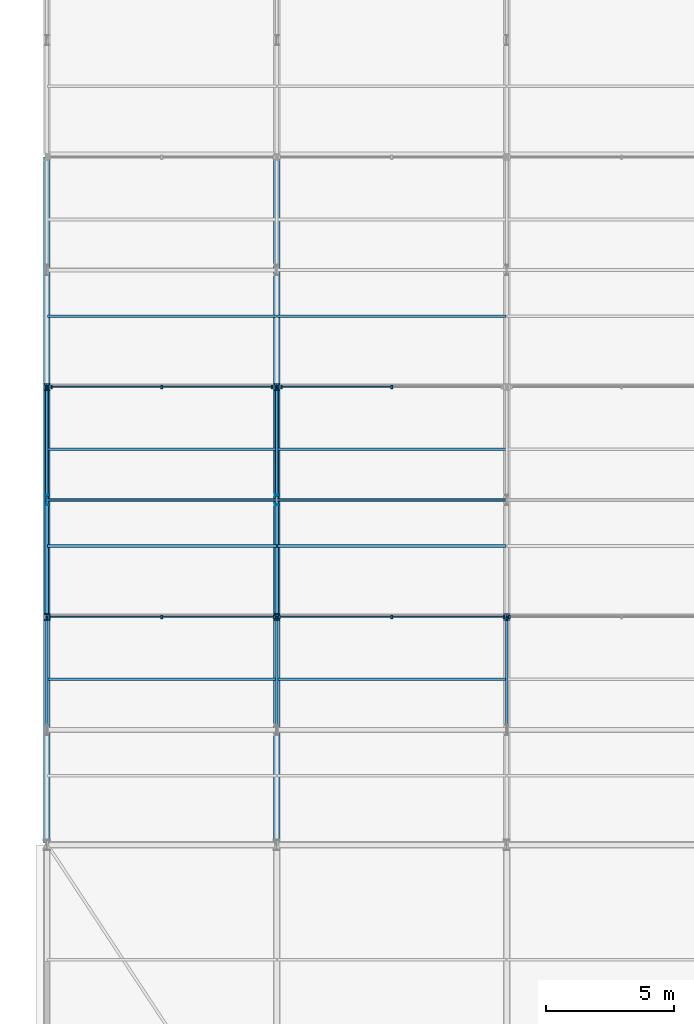
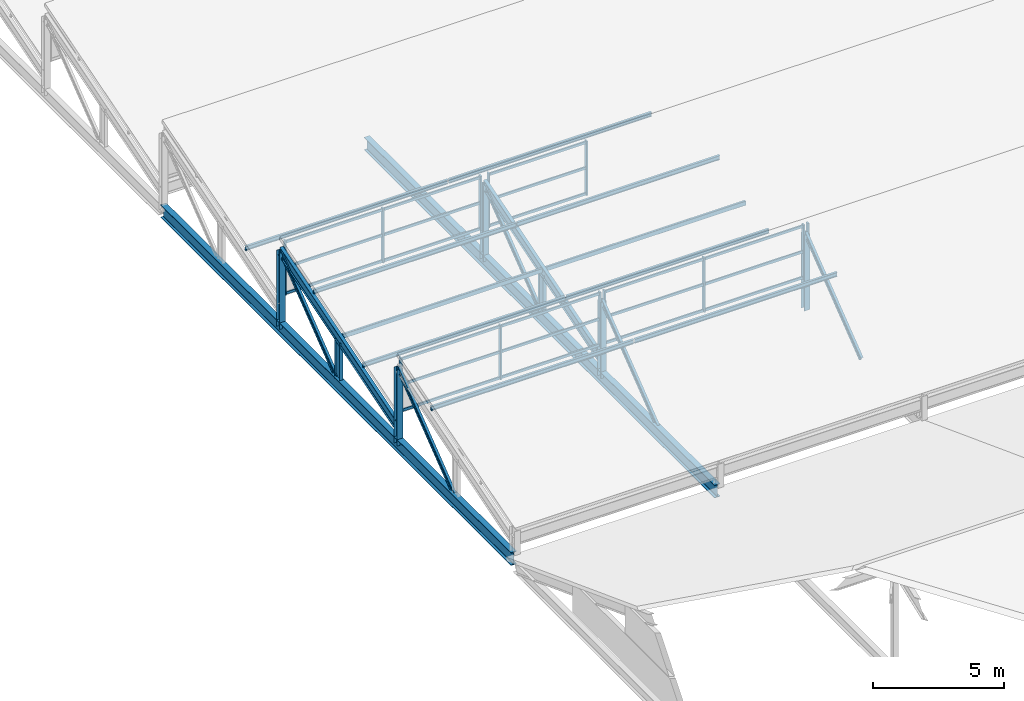
# One storey, part 46 of 163: 57 members, 2 beams, 5 elements without a shape of their own.
"""IFC4 building model written with IfcOpenShell, lengths in metres."""

from ifc_helpers import new_model, si_unit, direction, frame, origin, origin_2d, place, context, subcontext, project, spatial, rectangle, hollow_rectangle, i_section, extrude, material, material_profile, profile_set, type_object, element, aggregate, save


model = new_model("IFC4")

# Units and contexts
model_context = context("Model", 3, precision=1e-05, world=origin(), true_north=direction((0.0, 1.0)))
body_context = subcontext(model_context, "Body", "Model", "MODEL_VIEW")
ifc_project = project(units=[si_unit("LENGTHUNIT", "METRE"), si_unit("AREAUNIT", "SQUARE_METRE"), si_unit("VOLUMEUNIT", "CUBIC_METRE"), si_unit("PLANEANGLEUNIT", "RADIAN"), si_unit("MASSUNIT", "GRAM", prefix="KILO")], contexts=[model_context])

# Site, building, storey
site_placement = place(None, origin())
site = spatial("IfcSite", under=ifc_project, at=site_placement, CompositionType="ELEMENT")
building_placement = place(site_placement, origin())
building = spatial("IfcBuilding", under=site, at=building_placement, Name="Tharagai Park Tramway Depot", CompositionType="ELEMENT")
storey_placement = place(building_placement, frame((0.0, 0.0, 8.39990234375)))
storey = spatial("IfcBuildingStorey", under=building, at=storey_placement, Name="L02", CompositionType="ELEMENT", Elevation=8.39990234375)

# Beams
ifc_material_1 = material(Name="Steel E350", Category="steel")
ifc_material_profile_1 = material_profile(ifc_material_1, i_section(OverallWidth=0.25, OverallDepth=0.60009765625, WebThickness=0.01171875, FlangeThickness=0.023681640625, FilletRadius=0.01708984375, at=origin_2d()), Name="ISWB 600")
ifc_profile_set_1 = profile_set([ifc_material_profile_1], Name="Steel E350")
beam_type = type_object("IfcBeamType", Name="BM-01", PredefinedType="BEAM", material=ifc_profile_set_1)
for number, where, z_axis, x_axis, name in (
    (1, (0.0, 90.080078125, -0.25), (0.0, 1.0, 0.0), (-1.0, 0.0, 0.0), "Sawtooth Truss Bottom Tie Girder BM-01"),
    (2, (9.0, 90.080078125, -0.25), (0.0, 1.0, 0.0), (-1.0, 0.0, 0.0), "Sawtooth Truss Bottom Tie Girder BM-01"),
):
    element("IfcBeam", number, at=place(storey_placement, frame(where, z_axis=z_axis, x_axis=x_axis)), inside=storey, type_object=beam_type, Name=name, PredefinedType="BEAM", context=body_context, shape_type="SweptSolid", body=[
        extrude(i_section(OverallWidth=0.25, OverallDepth=0.60009765625, WebThickness=0.01171875, FlangeThickness=0.023681640625, FilletRadius=0.01708984375, at=origin_2d()), origin(), (0.0, 0.0, 1.0), 26.83984375),
    ])

# Members
ifc_material_profile_2 = material_profile(ifc_material_1, i_section(OverallWidth=0.25, OverallDepth=0.25, WebThickness=0.0087890625, FlangeThickness=0.009765625, FilletRadius=0.010009765625, at=origin_2d()), Name="ISHB 250")
ifc_profile_set_2 = profile_set([ifc_material_profile_2], Name="Steel E350")
member_type_1 = type_object("IfcMemberType", Name="BR-01", PredefinedType="BRACE", material=ifc_profile_set_2)
for number, where, z_axis, x_axis, name in (
    (3, (0.0, 98.919921875, -0.25), (0.0, 0.0, 1.0), (1.0, 0.0, 0.0), "Sawtooth North Vertical Post BR-01"),
    (4, (0.0, 107.919921875, -0.25), (0.0, 0.0, 1.0), (1.0, 0.0, 0.0), "Sawtooth North Vertical Post BR-01"),
    (5, (9.0, 98.919921875, -0.25), (0.0, 0.0, 1.0), (1.0, 0.0, 0.0), "Sawtooth North Vertical Post BR-01"),
    (6, (9.0, 107.919921875, -0.25), (0.0, 0.0, 1.0), (1.0, 0.0, 0.0), "Sawtooth North Vertical Post BR-01"),
    (7, (18.0, 98.919921875, -0.25), (0.0, 0.0, 1.0), (1.0, 0.0, 0.0), "Sawtooth North Vertical Post BR-01"),
):
    element("IfcMember", number, at=place(storey_placement, frame(where, z_axis=z_axis, x_axis=x_axis)), inside=storey, type_object=member_type_1, Name=name, PredefinedType="BRACE", context=body_context, shape_type="SweptSolid", body=[
        extrude(i_section(OverallWidth=0.25, OverallDepth=0.25, WebThickness=0.0087890625, FlangeThickness=0.009765625, FilletRadius=0.010009765625, at=origin_2d()), origin(), (0.0, 0.0, 1.0), 3.55517578125),
    ])
ifc_material_profile_3 = material_profile(ifc_material_1, i_section(OverallWidth=0.110107421875, OverallDepth=0.22509765625, WebThickness=0.006591796875, FlangeThickness=0.01171875, FilletRadius=0.011962890625, at=origin_2d()), Name="ISMB 225")
ifc_profile_set_3 = profile_set([ifc_material_profile_3], Name="Steel E350")
member_type_2 = type_object("IfcMemberType", Name="BR-04", PredefinedType="BRACE", material=ifc_profile_set_3)
for number, where, z_axis, x_axis, name in (
    (8, (0.0, 94.64990234375, 0.0), (0.0, 0.790781596, 0.612098413188), (-1.0, 0.0, 0.0), "Sawtooth Truss Web Diagonal BR-04"),
    (9, (0.0, 103.64990234375, 0.0), (0.0, 0.790781596, 0.612098413188), (-1.0, 0.0, 0.0), "Sawtooth Truss Web Diagonal BR-04"),
    (10, (9.0, 94.64990234375, 0.0), (0.0, 0.790781596, 0.612098413188), (-1.0, 0.0, 0.0), "Sawtooth Truss Web Diagonal BR-04"),
    (11, (9.0, 103.64990234375, 0.0), (0.0, 0.790781596, 0.612098413188), (-1.0, 0.0, 0.0), "Sawtooth Truss Web Diagonal BR-04"),
    (12, (18.0, 94.64990234375, 0.0), (0.0, 0.790781596, 0.612098413188), (-1.0, 0.0, 0.0), "Sawtooth Truss Web Diagonal BR-04"),
):
    element("IfcMember", number, at=place(storey_placement, frame(where, z_axis=z_axis, x_axis=x_axis)), inside=storey, type_object=member_type_2, Name=name, PredefinedType="BRACE", context=body_context, shape_type="SweptSolid", body=[
        extrude(i_section(OverallWidth=0.110107421875, OverallDepth=0.22509765625, WebThickness=0.006591796875, FlangeThickness=0.01171875, FilletRadius=0.011962890625, at=origin_2d()), origin(), (0.0, 0.0, 1.0), 5.399658203125),
    ])

# Curtain wall, members
ifc_material_2 = material(Name="Anodised aluminium", Category="aluminium")
curtain_wall_type_1 = type_object("IfcCurtainWallType", Name="CW-04", PredefinedType="NOTDEFINED", material=ifc_material_2)
curtain_wall_1_placement = place(storey_placement, origin())
curtain_wall_1 = element("IfcCurtainWall", 13, at=curtain_wall_1_placement, inside=storey, type_object=curtain_wall_type_1, Name="Sawtooth North-Light Clerestory CW-04", PredefinedType="NOTDEFINED")
ifc_material_profile_4 = material_profile(ifc_material_2, rectangle(XDim=0.06494140625, YDim=0.1201171875, at=origin_2d()), Name="ALU 65x120")
ifc_profile_set_4 = profile_set([ifc_material_profile_4], Name="Anodised aluminium")
member_type_3 = type_object("IfcMemberType", Name="CM-01", PredefinedType="USERDEFINED", material=ifc_profile_set_4)
member_1_placement = place(storey_placement, frame((0.114990234375, 98.919921875, 1.26513671875), z_axis=(1.0, 0.0, 0.0), x_axis=(0.0, 1.0, 0.0)))
member_1 = element("IfcMember", 14, at=member_1_placement, type_object=member_type_3, Name="Sawtooth North-Light Clerestory Transom 1.1", ObjectType="TRANSOM", PredefinedType="USERDEFINED", context=body_context, shape_type="SweptSolid", body=[
    extrude(rectangle(XDim=0.06494140625, YDim=0.1201171875, at=origin_2d()), origin(), (0.0, 0.0, 1.0), 4.3701171875),
])
member_2_placement = place(storey_placement, frame((0.114990234375, 98.919921875, 2.4736328125), z_axis=(1.0, 0.0, 0.0), x_axis=(0.0, 1.0, 0.0)))
member_2 = element("IfcMember", 15, at=member_2_placement, type_object=member_type_3, Name="Sawtooth North-Light Clerestory Transom 1.2", ObjectType="TRANSOM", PredefinedType="USERDEFINED", context=body_context, shape_type="SweptSolid", body=[
    extrude(rectangle(XDim=0.06494140625, YDim=0.1201171875, at=origin_2d()), origin(), (0.0, 0.0, 1.0), 4.3701171875),
])
member_3_placement = place(storey_placement, frame((0.114990234375, 98.919921875, 3.662353515625), z_axis=(1.0, 0.0, 0.0), x_axis=(0.0, 1.0, 0.0)))
member_3 = element("IfcMember", 16, at=member_3_placement, type_object=member_type_3, Name="Sawtooth North-Light Clerestory Transom 1.3", ObjectType="TRANSOM", PredefinedType="USERDEFINED", context=body_context, shape_type="SweptSolid", body=[
    extrude(rectangle(XDim=0.06494140625, YDim=0.1201171875, at=origin_2d()), origin(), (0.0, 0.0, 1.0), 4.3701171875),
])
member_4_placement = place(storey_placement, frame((4.514892578125, 98.919921875, 1.26513671875), z_axis=(1.0, 0.0, 0.0), x_axis=(0.0, 1.0, 0.0)))
member_4 = element("IfcMember", 17, at=member_4_placement, type_object=member_type_3, Name="Sawtooth North-Light Clerestory Transom 2.1", ObjectType="TRANSOM", PredefinedType="USERDEFINED", context=body_context, shape_type="SweptSolid", body=[
    extrude(rectangle(XDim=0.06494140625, YDim=0.1201171875, at=origin_2d()), origin(), (0.0, 0.0, 1.0), 4.3701171875),
])
member_5_placement = place(storey_placement, frame((4.514892578125, 98.919921875, 2.4736328125), z_axis=(1.0, 0.0, 0.0), x_axis=(0.0, 1.0, 0.0)))
member_5 = element("IfcMember", 18, at=member_5_placement, type_object=member_type_3, Name="Sawtooth North-Light Clerestory Transom 2.2", ObjectType="TRANSOM", PredefinedType="USERDEFINED", context=body_context, shape_type="SweptSolid", body=[
    extrude(rectangle(XDim=0.06494140625, YDim=0.1201171875, at=origin_2d()), origin(), (0.0, 0.0, 1.0), 4.3701171875),
])
member_6_placement = place(storey_placement, frame((4.514892578125, 98.919921875, 3.662353515625), z_axis=(1.0, 0.0, 0.0), x_axis=(0.0, 1.0, 0.0)))
member_6 = element("IfcMember", 19, at=member_6_placement, type_object=member_type_3, Name="Sawtooth North-Light Clerestory Transom 2.3", ObjectType="TRANSOM", PredefinedType="USERDEFINED", context=body_context, shape_type="SweptSolid", body=[
    extrude(rectangle(XDim=0.06494140625, YDim=0.1201171875, at=origin_2d()), origin(), (0.0, 0.0, 1.0), 4.3701171875),
])

curtain_wall_2_placement = place(storey_placement, origin())
curtain_wall_2 = element("IfcCurtainWall", 20, at=curtain_wall_2_placement, inside=storey, type_object=curtain_wall_type_1, Name="Sawtooth North-Light Clerestory CW-04", PredefinedType="NOTDEFINED")
member_7_placement = place(storey_placement, frame((9.114990234375, 98.919921875, 1.26513671875), z_axis=(1.0, 0.0, 0.0), x_axis=(0.0, 1.0, 0.0)))
member_7 = element("IfcMember", 21, at=member_7_placement, type_object=member_type_3, Name="Sawtooth North-Light Clerestory Transom 1.1", ObjectType="TRANSOM", PredefinedType="USERDEFINED", context=body_context, shape_type="SweptSolid", body=[
    extrude(rectangle(XDim=0.06494140625, YDim=0.1201171875, at=origin_2d()), origin(), (0.0, 0.0, 1.0), 4.3701171875),
])
member_8_placement = place(storey_placement, frame((9.114990234375, 98.919921875, 2.4736328125), z_axis=(1.0, 0.0, 0.0), x_axis=(0.0, 1.0, 0.0)))
member_8 = element("IfcMember", 22, at=member_8_placement, type_object=member_type_3, Name="Sawtooth North-Light Clerestory Transom 1.2", ObjectType="TRANSOM", PredefinedType="USERDEFINED", context=body_context, shape_type="SweptSolid", body=[
    extrude(rectangle(XDim=0.06494140625, YDim=0.1201171875, at=origin_2d()), origin(), (0.0, 0.0, 1.0), 4.3701171875),
])
member_9_placement = place(storey_placement, frame((9.114990234375, 98.919921875, 3.662353515625), z_axis=(1.0, 0.0, 0.0), x_axis=(0.0, 1.0, 0.0)))
member_9 = element("IfcMember", 23, at=member_9_placement, type_object=member_type_3, Name="Sawtooth North-Light Clerestory Transom 1.3", ObjectType="TRANSOM", PredefinedType="USERDEFINED", context=body_context, shape_type="SweptSolid", body=[
    extrude(rectangle(XDim=0.06494140625, YDim=0.1201171875, at=origin_2d()), origin(), (0.0, 0.0, 1.0), 4.3701171875),
])
member_10_placement = place(storey_placement, frame((13.514892578125, 98.919921875, 1.26513671875), z_axis=(1.0, 0.0, 0.0), x_axis=(0.0, 1.0, 0.0)))
member_10 = element("IfcMember", 24, at=member_10_placement, type_object=member_type_3, Name="Sawtooth North-Light Clerestory Transom 2.1", ObjectType="TRANSOM", PredefinedType="USERDEFINED", context=body_context, shape_type="SweptSolid", body=[
    extrude(rectangle(XDim=0.06494140625, YDim=0.1201171875, at=origin_2d()), origin(), (0.0, 0.0, 1.0), 4.3701171875),
])
member_11_placement = place(storey_placement, frame((13.514892578125, 98.919921875, 2.4736328125), z_axis=(1.0, 0.0, 0.0), x_axis=(0.0, 1.0, 0.0)))
member_11 = element("IfcMember", 25, at=member_11_placement, type_object=member_type_3, Name="Sawtooth North-Light Clerestory Transom 2.2", ObjectType="TRANSOM", PredefinedType="USERDEFINED", context=body_context, shape_type="SweptSolid", body=[
    extrude(rectangle(XDim=0.06494140625, YDim=0.1201171875, at=origin_2d()), origin(), (0.0, 0.0, 1.0), 4.3701171875),
])
member_12_placement = place(storey_placement, frame((13.514892578125, 98.919921875, 3.662353515625), z_axis=(1.0, 0.0, 0.0), x_axis=(0.0, 1.0, 0.0)))
member_12 = element("IfcMember", 26, at=member_12_placement, type_object=member_type_3, Name="Sawtooth North-Light Clerestory Transom 2.3", ObjectType="TRANSOM", PredefinedType="USERDEFINED", context=body_context, shape_type="SweptSolid", body=[
    extrude(rectangle(XDim=0.06494140625, YDim=0.1201171875, at=origin_2d()), origin(), (0.0, 0.0, 1.0), 4.3701171875),
])

curtain_wall_type_2 = type_object("IfcCurtainWallType", Name="CW-03", PredefinedType="NOTDEFINED", material=ifc_material_2)
curtain_wall_3_placement = place(storey_placement, origin())
curtain_wall_3 = element("IfcCurtainWall", 27, at=curtain_wall_3_placement, inside=storey, type_object=curtain_wall_type_2, Name="Sawtooth North-Light Clerestory CW-03", PredefinedType="NOTDEFINED")
member_13_placement = place(storey_placement, frame((0.195068359375, 107.919921875, 1.26513671875), z_axis=(1.0, 0.0, 0.0), x_axis=(0.0, 1.0, 0.0)))
member_13 = element("IfcMember", 28, at=member_13_placement, type_object=member_type_3, Name="Sawtooth North-Light Clerestory Transom 1.1", ObjectType="TRANSOM", PredefinedType="USERDEFINED", context=body_context, shape_type="SweptSolid", body=[
    extrude(rectangle(XDim=0.06494140625, YDim=0.1201171875, at=origin_2d()), origin(), (0.0, 0.0, 1.0), 4.2900390625),
])
member_14_placement = place(storey_placement, frame((0.195068359375, 107.919921875, 2.4736328125), z_axis=(1.0, 0.0, 0.0), x_axis=(0.0, 1.0, 0.0)))
member_14 = element("IfcMember", 29, at=member_14_placement, type_object=member_type_3, Name="Sawtooth North-Light Clerestory Transom 1.2", ObjectType="TRANSOM", PredefinedType="USERDEFINED", context=body_context, shape_type="SweptSolid", body=[
    extrude(rectangle(XDim=0.06494140625, YDim=0.1201171875, at=origin_2d()), origin(), (0.0, 0.0, 1.0), 4.2900390625),
])
member_15_placement = place(storey_placement, frame((0.195068359375, 107.919921875, 3.662353515625), z_axis=(1.0, 0.0, 0.0), x_axis=(0.0, 1.0, 0.0)))
member_15 = element("IfcMember", 30, at=member_15_placement, type_object=member_type_3, Name="Sawtooth North-Light Clerestory Transom 1.3", ObjectType="TRANSOM", PredefinedType="USERDEFINED", context=body_context, shape_type="SweptSolid", body=[
    extrude(rectangle(XDim=0.06494140625, YDim=0.1201171875, at=origin_2d()), origin(), (0.0, 0.0, 1.0), 4.2900390625),
])
member_16_placement = place(storey_placement, frame((4.514892578125, 107.919921875, 1.26513671875), z_axis=(1.0, 0.0, 0.0), x_axis=(0.0, 1.0, 0.0)))
member_16 = element("IfcMember", 31, at=member_16_placement, type_object=member_type_3, Name="Sawtooth North-Light Clerestory Transom 2.1", ObjectType="TRANSOM", PredefinedType="USERDEFINED", context=body_context, shape_type="SweptSolid", body=[
    extrude(rectangle(XDim=0.06494140625, YDim=0.1201171875, at=origin_2d()), origin(), (0.0, 0.0, 1.0), 4.2900390625),
])
member_17_placement = place(storey_placement, frame((4.514892578125, 107.919921875, 2.4736328125), z_axis=(1.0, 0.0, 0.0), x_axis=(0.0, 1.0, 0.0)))
member_17 = element("IfcMember", 32, at=member_17_placement, type_object=member_type_3, Name="Sawtooth North-Light Clerestory Transom 2.2", ObjectType="TRANSOM", PredefinedType="USERDEFINED", context=body_context, shape_type="SweptSolid", body=[
    extrude(rectangle(XDim=0.06494140625, YDim=0.1201171875, at=origin_2d()), origin(), (0.0, 0.0, 1.0), 4.2900390625),
])
member_18_placement = place(storey_placement, frame((4.514892578125, 107.919921875, 3.662353515625), z_axis=(1.0, 0.0, 0.0), x_axis=(0.0, 1.0, 0.0)))
member_18 = element("IfcMember", 33, at=member_18_placement, type_object=member_type_3, Name="Sawtooth North-Light Clerestory Transom 2.3", ObjectType="TRANSOM", PredefinedType="USERDEFINED", context=body_context, shape_type="SweptSolid", body=[
    extrude(rectangle(XDim=0.06494140625, YDim=0.1201171875, at=origin_2d()), origin(), (0.0, 0.0, 1.0), 4.2900390625),
])

curtain_wall_4_placement = place(storey_placement, origin())
curtain_wall_4 = element("IfcCurtainWall", 34, at=curtain_wall_4_placement, inside=storey, type_object=curtain_wall_type_2, Name="Sawtooth North-Light Clerestory CW-03", PredefinedType="NOTDEFINED")
member_19_placement = place(storey_placement, frame((9.195068359375, 107.919921875, 1.26513671875), z_axis=(1.0, 0.0, 0.0), x_axis=(0.0, 1.0, 0.0)))
member_19 = element("IfcMember", 35, at=member_19_placement, type_object=member_type_3, Name="Sawtooth North-Light Clerestory Transom 1.1", ObjectType="TRANSOM", PredefinedType="USERDEFINED", context=body_context, shape_type="SweptSolid", body=[
    extrude(rectangle(XDim=0.06494140625, YDim=0.1201171875, at=origin_2d()), origin(), (0.0, 0.0, 1.0), 4.2900390625),
])
member_20_placement = place(storey_placement, frame((9.195068359375, 107.919921875, 2.4736328125), z_axis=(1.0, 0.0, 0.0), x_axis=(0.0, 1.0, 0.0)))
member_20 = element("IfcMember", 36, at=member_20_placement, type_object=member_type_3, Name="Sawtooth North-Light Clerestory Transom 1.2", ObjectType="TRANSOM", PredefinedType="USERDEFINED", context=body_context, shape_type="SweptSolid", body=[
    extrude(rectangle(XDim=0.06494140625, YDim=0.1201171875, at=origin_2d()), origin(), (0.0, 0.0, 1.0), 4.2900390625),
])
member_21_placement = place(storey_placement, frame((9.195068359375, 107.919921875, 3.662353515625), z_axis=(1.0, 0.0, 0.0), x_axis=(0.0, 1.0, 0.0)))
member_21 = element("IfcMember", 37, at=member_21_placement, type_object=member_type_3, Name="Sawtooth North-Light Clerestory Transom 1.3", ObjectType="TRANSOM", PredefinedType="USERDEFINED", context=body_context, shape_type="SweptSolid", body=[
    extrude(rectangle(XDim=0.06494140625, YDim=0.1201171875, at=origin_2d()), origin(), (0.0, 0.0, 1.0), 4.2900390625),
])

# Member
ifc_material_profile_5 = material_profile(ifc_material_2, rectangle(XDim=0.06494140625, YDim=0.14990234375, at=origin_2d()), Name="ALU 65x150")
ifc_profile_set_5 = profile_set([ifc_material_profile_5], Name="Anodised aluminium")
member_type_4 = type_object("IfcMemberType", Name="CM-03", PredefinedType="MULLION", material=ifc_profile_set_5)
member_22_placement = place(storey_placement, frame((0.10009765625, 98.919921875, 1.2001953125), z_axis=(0.0, 0.0, 1.0), x_axis=(1.0, 0.0, 0.0)))
member_22 = element("IfcMember", 38, at=member_22_placement, type_object=member_type_4, Name="Sawtooth North-Light Clerestory Mullion 1", PredefinedType="MULLION", context=body_context, shape_type="SweptSolid", body=[
    extrude(rectangle(XDim=0.06494140625, YDim=0.14990234375, at=origin_2d()), origin(), (0.0, 0.0, 1.0), 2.547119140625),
])

member_23_placement = place(storey_placement, frame((4.5, 98.919921875, 1.2001953125), z_axis=(0.0, 0.0, 1.0), x_axis=(1.0, 0.0, 0.0)))
member_23 = element("IfcMember", 39, at=member_23_placement, type_object=member_type_4, Name="Sawtooth North-Light Clerestory Mullion 2", PredefinedType="MULLION", context=body_context, shape_type="SweptSolid", body=[
    extrude(rectangle(XDim=0.06494140625, YDim=0.14990234375, at=origin_2d()), origin(), (0.0, 0.0, 1.0), 2.547119140625),
])

member_24_placement = place(storey_placement, frame((8.89990234375, 98.919921875, 1.2001953125), z_axis=(0.0, 0.0, 1.0), x_axis=(1.0, 0.0, 0.0)))
member_24 = element("IfcMember", 40, at=member_24_placement, type_object=member_type_4, Name="Sawtooth North-Light Clerestory Mullion 3", PredefinedType="MULLION", context=body_context, shape_type="SweptSolid", body=[
    extrude(rectangle(XDim=0.06494140625, YDim=0.14990234375, at=origin_2d()), origin(), (0.0, 0.0, 1.0), 2.547119140625),
])

aggregate(curtain_wall_1, [member_22, member_23, member_24, member_1, member_2, member_3, member_4, member_5, member_6])

member_25_placement = place(storey_placement, frame((9.10009765625, 98.919921875, 1.2001953125), z_axis=(0.0, 0.0, 1.0), x_axis=(1.0, 0.0, 0.0)))
member_25 = element("IfcMember", 41, at=member_25_placement, type_object=member_type_4, Name="Sawtooth North-Light Clerestory Mullion 1", PredefinedType="MULLION", context=body_context, shape_type="SweptSolid", body=[
    extrude(rectangle(XDim=0.06494140625, YDim=0.14990234375, at=origin_2d()), origin(), (0.0, 0.0, 1.0), 2.547119140625),
])

member_26_placement = place(storey_placement, frame((13.5, 98.919921875, 1.2001953125), z_axis=(0.0, 0.0, 1.0), x_axis=(1.0, 0.0, 0.0)))
member_26 = element("IfcMember", 42, at=member_26_placement, type_object=member_type_4, Name="Sawtooth North-Light Clerestory Mullion 2", PredefinedType="MULLION", context=body_context, shape_type="SweptSolid", body=[
    extrude(rectangle(XDim=0.06494140625, YDim=0.14990234375, at=origin_2d()), origin(), (0.0, 0.0, 1.0), 2.547119140625),
])

member_27_placement = place(storey_placement, frame((17.89990234375, 98.919921875, 1.2001953125), z_axis=(0.0, 0.0, 1.0), x_axis=(1.0, 0.0, 0.0)))
member_27 = element("IfcMember", 43, at=member_27_placement, type_object=member_type_4, Name="Sawtooth North-Light Clerestory Mullion 3", PredefinedType="MULLION", context=body_context, shape_type="SweptSolid", body=[
    extrude(rectangle(XDim=0.06494140625, YDim=0.14990234375, at=origin_2d()), origin(), (0.0, 0.0, 1.0), 2.547119140625),
])

aggregate(curtain_wall_2, [member_25, member_26, member_27, member_7, member_8, member_9, member_10, member_11, member_12])

# Curtain wall, member
curtain_wall_5_placement = place(storey_placement, origin())
curtain_wall_5 = element("IfcCurtainWall", 44, at=curtain_wall_5_placement, inside=storey, type_object=curtain_wall_type_1, Name="Sawtooth North-Light Clerestory CW-04", PredefinedType="NOTDEFINED")
member_28_placement = place(storey_placement, frame((18.10009765625, 98.919921875, 1.2001953125), z_axis=(0.0, 0.0, 1.0), x_axis=(1.0, 0.0, 0.0)))
member_28 = element("IfcMember", 45, at=member_28_placement, type_object=member_type_4, Name="Sawtooth North-Light Clerestory Mullion 1", PredefinedType="MULLION", context=body_context, shape_type="SweptSolid", body=[
    extrude(rectangle(XDim=0.06494140625, YDim=0.14990234375, at=origin_2d()), origin(), (0.0, 0.0, 1.0), 2.547119140625),
])
aggregate(curtain_wall_5, [member_28])

# Member
member_29_placement = place(storey_placement, frame((0.179931640625, 107.919921875, 1.2001953125), z_axis=(0.0, 0.0, 1.0), x_axis=(1.0, 0.0, 0.0)))
member_29 = element("IfcMember", 46, at=member_29_placement, type_object=member_type_4, Name="Sawtooth North-Light Clerestory Mullion 1", PredefinedType="MULLION", context=body_context, shape_type="SweptSolid", body=[
    extrude(rectangle(XDim=0.06494140625, YDim=0.14990234375, at=origin_2d()), origin(), (0.0, 0.0, 1.0), 2.547119140625),
])

member_30_placement = place(storey_placement, frame((4.5, 107.919921875, 1.2001953125), z_axis=(0.0, 0.0, 1.0), x_axis=(1.0, 0.0, 0.0)))
member_30 = element("IfcMember", 47, at=member_30_placement, type_object=member_type_4, Name="Sawtooth North-Light Clerestory Mullion 2", PredefinedType="MULLION", context=body_context, shape_type="SweptSolid", body=[
    extrude(rectangle(XDim=0.06494140625, YDim=0.14990234375, at=origin_2d()), origin(), (0.0, 0.0, 1.0), 2.547119140625),
])

member_31_placement = place(storey_placement, frame((8.820068359375, 107.919921875, 1.2001953125), z_axis=(0.0, 0.0, 1.0), x_axis=(1.0, 0.0, 0.0)))
member_31 = element("IfcMember", 48, at=member_31_placement, type_object=member_type_4, Name="Sawtooth North-Light Clerestory Mullion 3", PredefinedType="MULLION", context=body_context, shape_type="SweptSolid", body=[
    extrude(rectangle(XDim=0.06494140625, YDim=0.14990234375, at=origin_2d()), origin(), (0.0, 0.0, 1.0), 2.547119140625),
])

aggregate(curtain_wall_3, [member_29, member_30, member_31, member_13, member_14, member_15, member_16, member_17, member_18])

member_32_placement = place(storey_placement, frame((9.179931640625, 107.919921875, 1.2001953125), z_axis=(0.0, 0.0, 1.0), x_axis=(1.0, 0.0, 0.0)))
member_32 = element("IfcMember", 49, at=member_32_placement, type_object=member_type_4, Name="Sawtooth North-Light Clerestory Mullion 1", PredefinedType="MULLION", context=body_context, shape_type="SweptSolid", body=[
    extrude(rectangle(XDim=0.06494140625, YDim=0.14990234375, at=origin_2d()), origin(), (0.0, 0.0, 1.0), 2.547119140625),
])

member_33_placement = place(storey_placement, frame((13.5, 107.919921875, 1.2001953125), z_axis=(0.0, 0.0, 1.0), x_axis=(1.0, 0.0, 0.0)))
member_33 = element("IfcMember", 50, at=member_33_placement, type_object=member_type_4, Name="Sawtooth North-Light Clerestory Mullion 2", PredefinedType="MULLION", context=body_context, shape_type="SweptSolid", body=[
    extrude(rectangle(XDim=0.06494140625, YDim=0.14990234375, at=origin_2d()), origin(), (0.0, 0.0, 1.0), 2.547119140625),
])

aggregate(curtain_wall_4, [member_32, member_33, member_19, member_20, member_21])

# Members
ifc_material_3 = material(Name="Steel E250", Category="steel")
ifc_material_profile_6 = material_profile(ifc_material_3, i_section(OverallWidth=0.10009765625, OverallDepth=0.199951171875, WebThickness=0.00537109375, FlangeThickness=0.00732421875, FilletRadius=0.009033203125, at=origin_2d()), Name="ISLB 200")
ifc_profile_set_6 = profile_set([ifc_material_profile_6], Name="Steel E250")
member_type_5 = type_object("IfcMemberType", Name="PR-03", PredefinedType="PURLIN", material=ifc_profile_set_6)
for number, where, z_axis, x_axis, name in (
    (51, (0.02001953125, 101.699951171875, 1.733154296875), (1.0, 0.0, 0.0), (0.0, 1.0, 0.0), "Sawtooth Roof Purlin PR-03"),
    (52, (0.02001953125, 105.47998046875, 2.87451171875), (1.0, 0.0, 0.0), (0.0, 1.0, 0.0), "Sawtooth Roof Purlin PR-03"),
    (53, (9.02001953125, 101.699951171875, 1.733154296875), (1.0, 0.0, 0.0), (0.0, 1.0, 0.0), "Sawtooth Roof Purlin PR-03"),
    (54, (9.02001953125, 105.47998046875, 2.87451171875), (1.0, 0.0, 0.0), (0.0, 1.0, 0.0), "Sawtooth Roof Purlin PR-03"),
):
    element("IfcMember", number, at=place(storey_placement, frame(where, z_axis=z_axis, x_axis=x_axis)), inside=storey, type_object=member_type_5, Name=name, PredefinedType="PURLIN", context=body_context, shape_type="SweptSolid", body=[
        extrude(i_section(OverallWidth=0.10009765625, OverallDepth=0.199951171875, WebThickness=0.00537109375, FlangeThickness=0.00732421875, FilletRadius=0.009033203125, at=origin_2d()), origin(), (0.0, 0.0, 1.0), 8.9599609375),
    ])
ifc_material_profile_7 = material_profile(ifc_material_3, i_section(OverallWidth=0.10009765625, OverallDepth=0.199951171875, WebThickness=0.005615234375, FlangeThickness=0.0107421875, FilletRadius=0.010986328125, at=origin_2d()), Name="ISMB 200")
ifc_profile_set_7 = profile_set([ifc_material_profile_7], Name="Steel E250")
member_type_6 = type_object("IfcMemberType", Name="PR-04", PredefinedType="PURLIN", material=ifc_profile_set_7)
for number, where, z_axis, x_axis, name in (
    (55, (0.02001953125, 96.47998046875, 2.87451171875), (1.0, 0.0, 0.0), (0.0, 1.0, 0.0), "Sawtooth Roof Purlin PR-04"),
    (56, (0.02001953125, 110.699951171875, 1.733154296875), (1.0, 0.0, 0.0), (0.0, 1.0, 0.0), "Sawtooth Roof Purlin PR-04"),
    (57, (9.02001953125, 96.47998046875, 2.87451171875), (1.0, 0.0, 0.0), (0.0, 1.0, 0.0), "Sawtooth Roof Purlin PR-04"),
    (58, (9.02001953125, 110.699951171875, 1.733154296875), (1.0, 0.0, 0.0), (0.0, 1.0, 0.0), "Sawtooth Roof Purlin PR-04"),
):
    element("IfcMember", number, at=place(storey_placement, frame(where, z_axis=z_axis, x_axis=x_axis)), inside=storey, type_object=member_type_6, Name=name, PredefinedType="PURLIN", context=body_context, shape_type="SweptSolid", body=[
        extrude(i_section(OverallWidth=0.10009765625, OverallDepth=0.199951171875, WebThickness=0.005615234375, FlangeThickness=0.0107421875, FilletRadius=0.010986328125, at=origin_2d()), origin(), (0.0, 0.0, 1.0), 8.9599609375),
    ])
ifc_material_profile_8 = material_profile(ifc_material_1, hollow_rectangle(XDim=0.10009765625, YDim=0.199951171875, WallThickness=0.006103515625, InnerFilletRadius=0.006103515625, OuterFilletRadius=0.011962890625, at=origin_2d()), Name="RHS 200x100x6")
ifc_profile_set_8 = profile_set([ifc_material_profile_8], Name="Steel E350")
member_type_7 = type_object("IfcMemberType", Name="RF-04", PredefinedType="RAFTER", material=ifc_profile_set_8)
for number, where, z_axis, x_axis, name in (
    (59, (0.02001953125, 103.5, 1.946533203125), (1.0, 0.0, 0.0), (0.0, 1.0, 0.0), "Sawtooth Tubular Tie Strut RF-04"),
    (60, (9.02001953125, 103.5, 1.946533203125), (1.0, 0.0, 0.0), (0.0, 1.0, 0.0), "Sawtooth Tubular Tie Strut RF-04"),
):
    element("IfcMember", number, at=place(storey_placement, frame(where, z_axis=z_axis, x_axis=x_axis)), inside=storey, type_object=member_type_7, Name=name, PredefinedType="RAFTER", context=body_context, shape_type="SweptSolid", body=[
        extrude(hollow_rectangle(XDim=0.10009765625, YDim=0.199951171875, WallThickness=0.006103515625, InnerFilletRadius=0.006103515625, OuterFilletRadius=0.011962890625, at=origin_2d()), origin(), (0.0, 0.0, 1.0), 8.9599609375),
    ])
ifc_material_profile_9 = material_profile(ifc_material_1, i_section(OverallWidth=0.14990234375, OverallDepth=0.449951171875, WebThickness=0.009521484375, FlangeThickness=0.017333984375, FilletRadius=0.014892578125, at=origin_2d()), Name="ISMB 450")
ifc_profile_set_9 = profile_set([ifc_material_profile_9], Name="Steel E350")
member_type_8 = type_object("IfcMemberType", Name="TC-05", PredefinedType="CHORD", material=ifc_profile_set_9)
for number, where, z_axis, x_axis, name in (
    (61, (0.0, 99.06005859375, 0.587890625), (0.0, 0.956231486327, 0.29261125159), (-1.0, 0.0, 0.0), "Sawtooth Top Chord TC-05"),
    (62, (9.0, 99.06005859375, 0.587890625), (0.0, 0.956231486327, 0.29261125159), (-1.0, 0.0, 0.0), "Sawtooth Top Chord TC-05"),
):
    element("IfcMember", number, at=place(storey_placement, frame(where, z_axis=z_axis, x_axis=x_axis)), inside=storey, type_object=member_type_8, Name=name, PredefinedType="CHORD", context=body_context, shape_type="SweptSolid", body=[
        extrude(i_section(OverallWidth=0.14990234375, OverallDepth=0.449951171875, WebThickness=0.009521484375, FlangeThickness=0.017333984375, FilletRadius=0.014892578125, at=origin_2d()), origin(), (0.0, 0.0, 1.0), 9.286376953125),
    ])
ifc_material_profile_10 = material_profile(ifc_material_1, i_section(OverallWidth=0.139892578125, OverallDepth=0.39990234375, WebThickness=0.0087890625, FlangeThickness=0.01611328125, FilletRadius=0.013916015625, at=origin_2d()), Name="ISMB 400")
ifc_profile_set_10 = profile_set([ifc_material_profile_10], Name="Steel E350")
member_type_9 = type_object("IfcMemberType", Name="TC-06", PredefinedType="CHORD", material=ifc_profile_set_10)
for number, where, z_axis, x_axis, name in (
    (63, (0.0, 103.5, -0.0498046875), (0.0, 0.0, 1.0), (1.0, 0.0, 0.0), "Sawtooth Mid-Tooth Strut TC-06"),
    (64, (9.0, 103.5, -0.0498046875), (0.0, 0.0, 1.0), (1.0, 0.0, 0.0), "Sawtooth Mid-Tooth Strut TC-06"),
):
    element("IfcMember", number, at=place(storey_placement, frame(where, z_axis=z_axis, x_axis=x_axis)), inside=storey, type_object=member_type_9, Name=name, PredefinedType="CHORD", context=body_context, shape_type="SweptSolid", body=[
        extrude(i_section(OverallWidth=0.139892578125, OverallDepth=0.39990234375, WebThickness=0.0087890625, FlangeThickness=0.01611328125, FilletRadius=0.013916015625, at=origin_2d()), origin(), (0.0, 0.0, 1.0), 1.846435546875),
    ])

save(model, "model.ifc")
